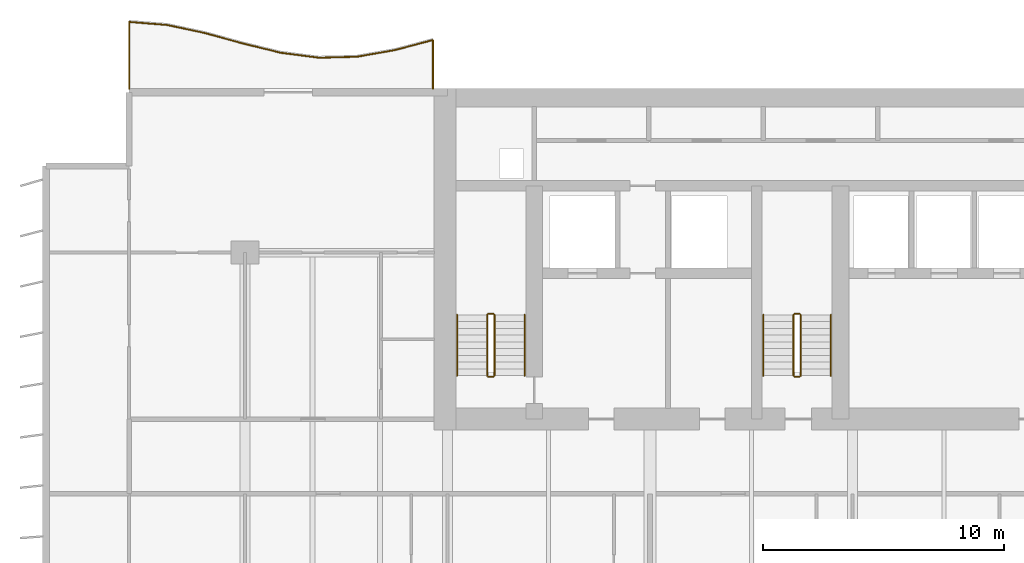
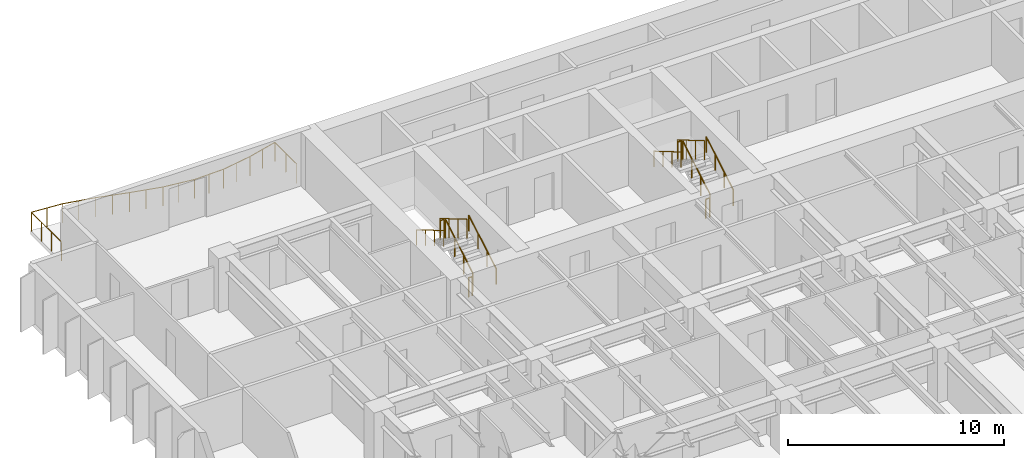
# One storey, part 15 of 17: 13 railings.
"""IFC4 building model written with IfcOpenShell, lengths in metres."""

from ifc_helpers import new_model, si_unit, direction, frame, origin, origin_2d, place, context, subcontext, project, spatial, circle, extrude, material, type_object, element, save


model = new_model("IFC4")

# Units and contexts
model_context = context("Model", 3, precision=1e-05, world=origin(), true_north=direction((0.0, 1.0)))
body_context = subcontext(model_context, "Body", "Model", "MODEL_VIEW")
ifc_project = project(units=[si_unit("LENGTHUNIT", "METRE"), si_unit("AREAUNIT", "SQUARE_METRE"), si_unit("VOLUMEUNIT", "CUBIC_METRE"), si_unit("PLANEANGLEUNIT", "RADIAN"), si_unit("MASSUNIT", "GRAM", prefix="KILO")], contexts=[model_context])

# Site, building, storey
site_placement = place(None, origin())
site = spatial("IfcSite", under=ifc_project, at=site_placement, CompositionType="ELEMENT")
building_placement = place(site_placement, origin())
building = spatial("IfcBuilding", under=site, at=building_placement, Name="Caelmar Bay Residences", CompositionType="ELEMENT")
storey_placement = place(building_placement, frame((0.0, 0.0, 63.0)))
storey = spatial("IfcBuildingStorey", under=building, at=storey_placement, Name="L16", CompositionType="ELEMENT", Elevation=63.0)

# Railings
ifc_material_1 = material(Name="Anodised bronze handrail with laminated hurricane glass infill", Category="glass")
railing_type_1 = type_object("IfcRailingType", Name="RL-BAL-1100", PredefinedType="BALUSTRADE", material=ifc_material_1)
railing_1_placement = place(storey_placement, frame((17.699951171875, 50.60009765625, 0.0)))
element("IfcRailing", 1, at=railing_1_placement, inside=storey, type_object=railing_type_1, Name="L16 north_west Balcony Balustrade", PredefinedType="BALUSTRADE", context=body_context, shape_type="SweptSolid", body=[
    extrude(circle(Radius=0.02392578125, at=origin_2d()), frame((0.0, 0.0, 1.076171875), z_axis=(0.0, 1.0, 0.0), x_axis=(-1.0, 0.0, 0.0)), (0.0, 0.0, 1.0), 2.02001953125),
    extrude(circle(Radius=0.02392578125, at=origin_2d()), frame((0.0, 2.02001953125, 1.076171875), z_axis=(-0.966728120508, -0.255806061341, 0.0), x_axis=(0.255806061341, -0.966728120508, 0.0)), (0.0, 0.0, 1.0), 1.629150390625),
    extrude(circle(Radius=0.02392578125, at=origin_2d()), frame((-1.574951171875, 1.603271484375, 1.076171875), z_axis=(-0.984950641335, -0.172835858935, 0.0), x_axis=(0.172835858935, -0.984950641335, 0.0)), (0.0, 0.0, 1.0), 1.59912109375),
    extrude(circle(Radius=0.02392578125, at=origin_2d()), frame((-3.14990234375, 1.326904296875, 1.076171875), z_axis=(-0.9996364388, -0.026962756216, 0.0), x_axis=(0.026962756216, -0.9996364388, 0.0)), (0.0, 0.0, 1.0), 1.575439453125),
    extrude(circle(Radius=0.02392578125, at=origin_2d()), frame((-4.724853515625, 1.284423828125, 1.076171875), z_axis=(-0.991631235968, 0.129102640765, 0.0), x_axis=(-0.129102640765, -0.991631235968, 0.0)), (0.0, 0.0, 1.0), 1.58837890625),
    extrude(circle(Radius=0.02392578125, at=origin_2d()), frame((-6.300048828125, 1.489501953125, 1.076171875), z_axis=(-0.971534712274, 0.236897241111, 0.0), x_axis=(-0.236897241111, -0.971534712274, 0.0)), (0.0, 0.0, 1.0), 1.62109375),
    extrude(circle(Radius=0.02392578125, at=origin_2d()), frame((-7.875, 1.87353515625, 1.076171875), z_axis=(-0.964168126778, 0.265291958616, 0.0), x_axis=(-0.265291958616, -0.964168126778, 0.0)), (0.0, 0.0, 1.0), 1.633544921875),
    extrude(circle(Radius=0.02392578125, at=origin_2d()), frame((-9.449951171875, 2.306884765625, 1.076171875), z_axis=(-0.977906557301, 0.209042496127, 0.0), x_axis=(-0.209042496127, -0.977906557301, 0.0)), (0.0, 0.0, 1.0), 1.610595703125),
    extrude(circle(Radius=0.02392578125, at=origin_2d()), frame((-11.02490234375, 2.6435546875, 1.076171875), z_axis=(-0.996791652008, 0.08004000554, 0.0), x_axis=(-0.08004000554, -0.996791652008, 0.0)), (0.0, 0.0, 1.0), 1.580078125),
    extrude(circle(Radius=0.02392578125, at=origin_2d()), frame((-12.599853515625, 2.77001953125, 1.076171875), z_axis=(0.0, -1.0, 0.0), x_axis=(1.0, 0.0, 0.0)), (0.0, 0.0, 1.0), 2.77001953125),
    extrude(circle(Radius=0.02099609375, at=origin_2d()), origin(), (0.0, 0.0, 1.0), 1.052001953125),
    extrude(circle(Radius=0.02099609375, at=origin_2d()), frame((0.0, 1.010009765625, 0.0)), (0.0, 0.0, 1.0), 1.052001953125),
    extrude(circle(Radius=0.02099609375, at=origin_2d()), frame((0.0, 2.02001953125, 0.0)), (0.0, 0.0, 1.0), 1.052001953125),
    extrude(circle(Radius=0.02099609375, at=origin_2d()), frame((-0.78759765625, 1.8115234375, 0.0)), (0.0, 0.0, 1.0), 1.052001953125),
    extrude(circle(Radius=0.02099609375, at=origin_2d()), frame((-1.574951171875, 1.603271484375, 0.0)), (0.0, 0.0, 1.0), 1.052001953125),
    extrude(circle(Radius=0.02099609375, at=origin_2d()), frame((-2.3623046875, 1.465087890625, 0.0)), (0.0, 0.0, 1.0), 1.052001953125),
    extrude(circle(Radius=0.02099609375, at=origin_2d()), frame((-3.14990234375, 1.326904296875, 0.0)), (0.0, 0.0, 1.0), 1.052001953125),
    extrude(circle(Radius=0.02099609375, at=origin_2d()), frame((-3.9375, 1.3056640625, 0.0)), (0.0, 0.0, 1.0), 1.052001953125),
    extrude(circle(Radius=0.02099609375, at=origin_2d()), frame((-4.724853515625, 1.284423828125, 0.0)), (0.0, 0.0, 1.0), 1.052001953125),
    extrude(circle(Radius=0.02099609375, at=origin_2d()), frame((-5.512451171875, 1.386962890625, 0.0)), (0.0, 0.0, 1.0), 1.052001953125),
    extrude(circle(Radius=0.02099609375, at=origin_2d()), frame((-6.300048828125, 1.489501953125, 0.0)), (0.0, 0.0, 1.0), 1.052001953125),
    extrude(circle(Radius=0.02099609375, at=origin_2d()), frame((-7.08740234375, 1.681640625, 0.0)), (0.0, 0.0, 1.0), 1.052001953125),
    extrude(circle(Radius=0.02099609375, at=origin_2d()), frame((-7.875, 1.87353515625, 0.0)), (0.0, 0.0, 1.0), 1.052001953125),
    extrude(circle(Radius=0.02099609375, at=origin_2d()), frame((-8.66259765625, 2.09033203125, 0.0)), (0.0, 0.0, 1.0), 1.052001953125),
    extrude(circle(Radius=0.02099609375, at=origin_2d()), frame((-9.449951171875, 2.306884765625, 0.0)), (0.0, 0.0, 1.0), 1.052001953125),
    extrude(circle(Radius=0.02099609375, at=origin_2d()), frame((-10.2373046875, 2.47509765625, 0.0)), (0.0, 0.0, 1.0), 1.052001953125),
    extrude(circle(Radius=0.02099609375, at=origin_2d()), frame((-11.02490234375, 2.6435546875, 0.0)), (0.0, 0.0, 1.0), 1.052001953125),
    extrude(circle(Radius=0.02099609375, at=origin_2d()), frame((-11.8125, 2.706787109375, 0.0)), (0.0, 0.0, 1.0), 1.052001953125),
    extrude(circle(Radius=0.02099609375, at=origin_2d()), frame((-12.599853515625, 2.77001953125, 0.0)), (0.0, 0.0, 1.0), 1.052001953125),
    extrude(circle(Radius=0.02099609375, at=origin_2d()), frame((-12.599853515625, 1.8466796875, 0.0)), (0.0, 0.0, 1.0), 1.052001953125),
    extrude(circle(Radius=0.02099609375, at=origin_2d()), frame((-12.599853515625, 0.92333984375, 0.0)), (0.0, 0.0, 1.0), 1.052001953125),
    extrude(circle(Radius=0.02099609375, at=origin_2d()), frame((-12.599853515625, 0.0, 0.0)), (0.0, 0.0, 1.0), 1.052001953125),
])
ifc_material_2 = material(Name="Painted galvanized steel stair guard 1100 mm", Category="steel")
railing_type_2 = type_object("IfcRailingType", Name="RL-GRD-1100", PredefinedType="GUARDRAIL", material=ifc_material_2)
railing_2_placement = place(storey_placement, frame((20.25, 38.699951171875, 0.1650390625)))
element("IfcRailing", 2, at=railing_2_placement, inside=storey, type_object=railing_type_2, Name="L16 ST1 stair guard 1", PredefinedType="GUARDRAIL", context=body_context, shape_type="SweptSolid", body=[
    extrude(circle(Radius=0.02392578125, at=origin_2d()), frame((0.0, 0.0, 1.076171875), z_axis=(0.0, 0.861560626758, 0.507654692109), x_axis=(-1.0, 0.0, 0.0)), (0.0, 0.0, 1.0), 2.925048828125),
    extrude(circle(Radius=0.02099609375, at=origin_2d()), origin(), (0.0, 0.0, 1.0), 1.052001953125),
    extrude(circle(Radius=0.02099609375, at=origin_2d()), frame((0.0, 0.840087890625, 0.494873046875)), (0.0, 0.0, 1.0), 1.052001953125),
    extrude(circle(Radius=0.02099609375, at=origin_2d()), frame((0.0, 1.679931640625, 0.989990234375)), (0.0, 0.0, 1.0), 1.052001953125),
    extrude(circle(Radius=0.02099609375, at=origin_2d()), frame((0.0, 2.52001953125, 1.48486328125)), (0.0, 0.0, 1.0), 1.052001953125),
])
railing_3_placement = place(storey_placement, frame((20.199951171875, 41.27001953125, 1.64990234375)))
element("IfcRailing", 3, at=railing_3_placement, inside=storey, type_object=railing_type_2, Name="L16 ST1 stair guard 2", PredefinedType="GUARDRAIL", context=body_context, shape_type="SweptSolid", body=[
    extrude(circle(Radius=0.02392578125, at=origin_2d()), frame((0.0, 0.0, 1.076171875), z_axis=(-1.0, 0.0, 0.0), x_axis=(0.0, -1.0, 0.0)), (0.0, 0.0, 1.0), 0.199951171875),
    extrude(circle(Radius=0.02099609375, at=origin_2d()), origin(), (0.0, 0.0, 1.0), 1.052001953125),
    extrude(circle(Radius=0.02099609375, at=origin_2d()), frame((-0.199951171875, 0.0, 0.0)), (0.0, 0.0, 1.0), 1.052001953125),
])
railing_4_placement = place(storey_placement, frame((19.949951171875, 41.219970703125, 1.81494140625)))
element("IfcRailing", 4, at=railing_4_placement, inside=storey, type_object=railing_type_2, Name="L16 ST1 stair guard 3", PredefinedType="GUARDRAIL", context=body_context, shape_type="SweptSolid", body=[
    extrude(circle(Radius=0.02392578125, at=origin_2d()), frame((0.0, 0.0, 1.076171875), z_axis=(0.0, -0.86152411907, 0.507716645641), x_axis=(1.0, 0.0, 0.0)), (0.0, 0.0, 1.0), 2.925048828125),
    extrude(circle(Radius=0.02099609375, at=origin_2d()), origin(), (0.0, 0.0, 1.0), 1.052001953125),
    extrude(circle(Radius=0.02099609375, at=origin_2d()), frame((0.0, -0.840087890625, 0.4951171875)), (0.0, 0.0, 1.0), 1.052001953125),
    extrude(circle(Radius=0.02099609375, at=origin_2d()), frame((0.0, -1.679931640625, 0.989990234375)), (0.0, 0.0, 1.0), 1.052001953125),
    extrude(circle(Radius=0.02099609375, at=origin_2d()), frame((0.0, -2.52001953125, 1.485107421875)), (0.0, 0.0, 1.0), 1.052001953125),
])
railing_5_placement = place(storey_placement, frame((20.199951171875, 38.64990234375, 0.0)))
element("IfcRailing", 5, at=railing_5_placement, inside=storey, type_object=railing_type_2, Name="L16 ST1 stair guard 4", PredefinedType="GUARDRAIL", context=body_context, shape_type="SweptSolid", body=[
    extrude(circle(Radius=0.02392578125, at=origin_2d()), frame((0.0, 0.0, 1.076171875), z_axis=(-1.0, 0.0, 0.0), x_axis=(0.0, -1.0, 0.0)), (0.0, 0.0, 1.0), 0.199951171875),
    extrude(circle(Radius=0.02099609375, at=origin_2d()), origin(), (0.0, 0.0, 1.0), 1.052001953125),
    extrude(circle(Radius=0.02099609375, at=origin_2d()), frame((-0.199951171875, 0.0, 0.0)), (0.0, 0.0, 1.0), 1.052001953125),
])
railing_6_placement = place(storey_placement, frame((32.949951171875, 38.699951171875, 0.1650390625)))
element("IfcRailing", 6, at=railing_6_placement, inside=storey, type_object=railing_type_2, Name="L16 ST3 stair guard 1", PredefinedType="GUARDRAIL", context=body_context, shape_type="SweptSolid", body=[
    extrude(circle(Radius=0.02392578125, at=origin_2d()), frame((0.0, 0.0, 1.076171875), z_axis=(0.0, 0.861560626758, 0.507654692109), x_axis=(-1.0, 0.0, 0.0)), (0.0, 0.0, 1.0), 2.925048828125),
    extrude(circle(Radius=0.02099609375, at=origin_2d()), origin(), (0.0, 0.0, 1.0), 1.052001953125),
    extrude(circle(Radius=0.02099609375, at=origin_2d()), frame((0.0, 0.840087890625, 0.494873046875)), (0.0, 0.0, 1.0), 1.052001953125),
    extrude(circle(Radius=0.02099609375, at=origin_2d()), frame((0.0, 1.679931640625, 0.989990234375)), (0.0, 0.0, 1.0), 1.052001953125),
    extrude(circle(Radius=0.02099609375, at=origin_2d()), frame((0.0, 2.52001953125, 1.48486328125)), (0.0, 0.0, 1.0), 1.052001953125),
])
railing_7_placement = place(storey_placement, frame((32.89990234375, 41.27001953125, 1.64990234375)))
element("IfcRailing", 7, at=railing_7_placement, inside=storey, type_object=railing_type_2, Name="L16 ST3 stair guard 2", PredefinedType="GUARDRAIL", context=body_context, shape_type="SweptSolid", body=[
    extrude(circle(Radius=0.02392578125, at=origin_2d()), frame((0.0, 0.0, 1.076171875), z_axis=(-1.0, 0.0, 0.0), x_axis=(0.0, -1.0, 0.0)), (0.0, 0.0, 1.0), 0.199951171875),
    extrude(circle(Radius=0.02099609375, at=origin_2d()), origin(), (0.0, 0.0, 1.0), 1.052001953125),
    extrude(circle(Radius=0.02099609375, at=origin_2d()), frame((-0.199951171875, 0.0, 0.0)), (0.0, 0.0, 1.0), 1.052001953125),
])
railing_8_placement = place(storey_placement, frame((32.64990234375, 41.219970703125, 1.81494140625)))
element("IfcRailing", 8, at=railing_8_placement, inside=storey, type_object=railing_type_2, Name="L16 ST3 stair guard 3", PredefinedType="GUARDRAIL", context=body_context, shape_type="SweptSolid", body=[
    extrude(circle(Radius=0.02392578125, at=origin_2d()), frame((0.0, 0.0, 1.076171875), z_axis=(0.0, -0.86152411907, 0.507716645641), x_axis=(1.0, 0.0, 0.0)), (0.0, 0.0, 1.0), 2.925048828125),
    extrude(circle(Radius=0.02099609375, at=origin_2d()), origin(), (0.0, 0.0, 1.0), 1.052001953125),
    extrude(circle(Radius=0.02099609375, at=origin_2d()), frame((0.0, -0.840087890625, 0.4951171875)), (0.0, 0.0, 1.0), 1.052001953125),
    extrude(circle(Radius=0.02099609375, at=origin_2d()), frame((0.0, -1.679931640625, 0.989990234375)), (0.0, 0.0, 1.0), 1.052001953125),
    extrude(circle(Radius=0.02099609375, at=origin_2d()), frame((0.0, -2.52001953125, 1.485107421875)), (0.0, 0.0, 1.0), 1.052001953125),
])
railing_9_placement = place(storey_placement, frame((32.89990234375, 38.64990234375, 0.0)))
element("IfcRailing", 9, at=railing_9_placement, inside=storey, type_object=railing_type_2, Name="L16 ST3 stair guard 4", PredefinedType="GUARDRAIL", context=body_context, shape_type="SweptSolid", body=[
    extrude(circle(Radius=0.02392578125, at=origin_2d()), frame((0.0, 0.0, 1.076171875), z_axis=(-1.0, 0.0, 0.0), x_axis=(0.0, -1.0, 0.0)), (0.0, 0.0, 1.0), 0.199951171875),
    extrude(circle(Radius=0.02099609375, at=origin_2d()), origin(), (0.0, 0.0, 1.0), 1.052001953125),
    extrude(circle(Radius=0.02099609375, at=origin_2d()), frame((-0.199951171875, 0.0, 0.0)), (0.0, 0.0, 1.0), 1.052001953125),
])
ifc_material_3 = material(Name="Brushed bronze stainless-steel tubular handrail 900 mm", Category="steel")
railing_type_3 = type_object("IfcRailingType", Name="RL-HND-900", PredefinedType="HANDRAIL", material=ifc_material_3)
railing_10_placement = place(storey_placement, frame((21.5, 38.699951171875, 0.1650390625)))
element("IfcRailing", 10, at=railing_10_placement, inside=storey, type_object=railing_type_3, Name="L16 ST1 stair handrail 1", PredefinedType="HANDRAIL", context=body_context, shape_type="SweptSolid", body=[
    extrude(circle(Radius=0.02392578125, at=origin_2d()), frame((0.0, 0.0, 0.8759765625), z_axis=(0.0, 0.861560626758, 0.507654692109), x_axis=(-1.0, 0.0, 0.0)), (0.0, 0.0, 1.0), 2.925048828125),
    extrude(circle(Radius=0.02099609375, at=origin_2d()), origin(), (0.0, 0.0, 1.0), 0.851806640625),
    extrude(circle(Radius=0.02099609375, at=origin_2d()), frame((0.0, 0.840087890625, 0.494873046875)), (0.0, 0.0, 1.0), 0.851806640625),
    extrude(circle(Radius=0.02099609375, at=origin_2d()), frame((0.0, 1.679931640625, 0.989990234375)), (0.0, 0.0, 1.0), 0.851806640625),
    extrude(circle(Radius=0.02099609375, at=origin_2d()), frame((0.0, 2.52001953125, 1.48486328125)), (0.0, 0.0, 1.0), 0.851806640625),
])
railing_11_placement = place(storey_placement, frame((18.699951171875, 41.219970703125, 1.81494140625)))
element("IfcRailing", 11, at=railing_11_placement, inside=storey, type_object=railing_type_3, Name="L16 ST1 stair handrail 2", PredefinedType="HANDRAIL", context=body_context, shape_type="SweptSolid", body=[
    extrude(circle(Radius=0.02392578125, at=origin_2d()), frame((0.0, 0.0, 0.8759765625), z_axis=(0.0, -0.86152411907, 0.507716645641), x_axis=(1.0, 0.0, 0.0)), (0.0, 0.0, 1.0), 2.925048828125),
    extrude(circle(Radius=0.02099609375, at=origin_2d()), origin(), (0.0, 0.0, 1.0), 0.851806640625),
    extrude(circle(Radius=0.02099609375, at=origin_2d()), frame((0.0, -0.840087890625, 0.4951171875)), (0.0, 0.0, 1.0), 0.851806640625),
    extrude(circle(Radius=0.02099609375, at=origin_2d()), frame((0.0, -1.679931640625, 0.989990234375)), (0.0, 0.0, 1.0), 0.851806640625),
    extrude(circle(Radius=0.02099609375, at=origin_2d()), frame((0.0, -2.52001953125, 1.485107421875)), (0.0, 0.0, 1.0), 0.851806640625),
])
railing_12_placement = place(storey_placement, frame((34.199951171875, 38.699951171875, 0.1650390625)))
element("IfcRailing", 12, at=railing_12_placement, inside=storey, type_object=railing_type_3, Name="L16 ST3 stair handrail 1", PredefinedType="HANDRAIL", context=body_context, shape_type="SweptSolid", body=[
    extrude(circle(Radius=0.02392578125, at=origin_2d()), frame((0.0, 0.0, 0.8759765625), z_axis=(0.0, 0.861560626758, 0.507654692109), x_axis=(-1.0, 0.0, 0.0)), (0.0, 0.0, 1.0), 2.925048828125),
    extrude(circle(Radius=0.02099609375, at=origin_2d()), origin(), (0.0, 0.0, 1.0), 0.851806640625),
    extrude(circle(Radius=0.02099609375, at=origin_2d()), frame((0.0, 0.840087890625, 0.494873046875)), (0.0, 0.0, 1.0), 0.851806640625),
    extrude(circle(Radius=0.02099609375, at=origin_2d()), frame((0.0, 1.679931640625, 0.989990234375)), (0.0, 0.0, 1.0), 0.851806640625),
    extrude(circle(Radius=0.02099609375, at=origin_2d()), frame((0.0, 2.52001953125, 1.48486328125)), (0.0, 0.0, 1.0), 0.851806640625),
])
railing_13_placement = place(storey_placement, frame((31.39990234375, 41.219970703125, 1.81494140625)))
element("IfcRailing", 13, at=railing_13_placement, inside=storey, type_object=railing_type_3, Name="L16 ST3 stair handrail 2", PredefinedType="HANDRAIL", context=body_context, shape_type="SweptSolid", body=[
    extrude(circle(Radius=0.02392578125, at=origin_2d()), frame((0.0, 0.0, 0.8759765625), z_axis=(0.0, -0.86152411907, 0.507716645641), x_axis=(1.0, 0.0, 0.0)), (0.0, 0.0, 1.0), 2.925048828125),
    extrude(circle(Radius=0.02099609375, at=origin_2d()), origin(), (0.0, 0.0, 1.0), 0.851806640625),
    extrude(circle(Radius=0.02099609375, at=origin_2d()), frame((0.0, -0.840087890625, 0.4951171875)), (0.0, 0.0, 1.0), 0.851806640625),
    extrude(circle(Radius=0.02099609375, at=origin_2d()), frame((0.0, -1.679931640625, 0.989990234375)), (0.0, 0.0, 1.0), 0.851806640625),
    extrude(circle(Radius=0.02099609375, at=origin_2d()), frame((0.0, -2.52001953125, 1.485107421875)), (0.0, 0.0, 1.0), 0.851806640625),
])

save(model, "model.ifc")
